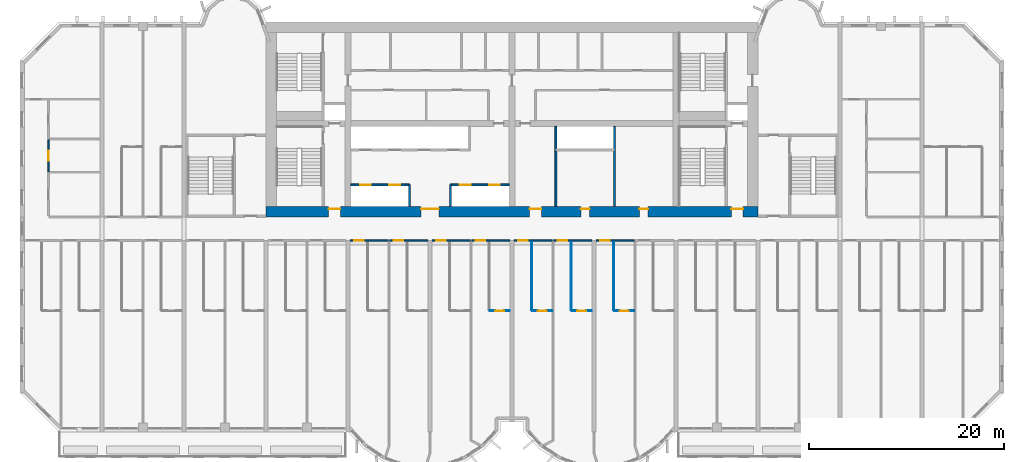
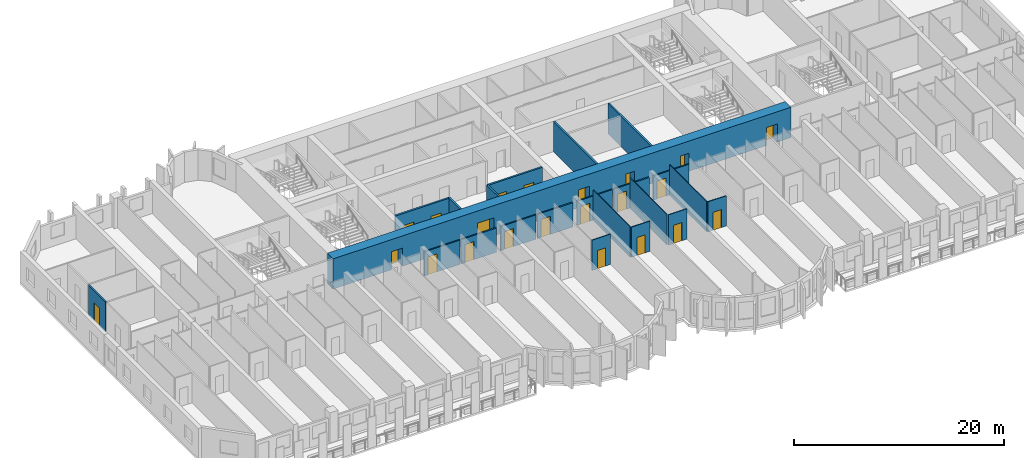
# One storey, part 5 of 15: 22 doors, 22 walls, 22 openings.
"""IFC4 building model written with IfcOpenShell, lengths in metres."""

import ifcopenshell
import ifcopenshell.guid

model = None  # the IFC model being written
_history = None  # IfcOwnerHistory: only IFC2X3 demands one
_inside = {}  # id of a spatial element -> (the spatial element, [elements in it])
_under = {}  # id of a project, library or spatial element -> (it, [spatial elements below it])
_declared = {}  # id of a project -> (the project, [libraries it declares])
_typed = {}  # id of a type object -> (the type object, [elements of that type])
_made_of = {}  # id of a material, layer set ... -> (it, [elements and type objects made of it])


def new_model(schema):
    """Start an empty IFC model of exactly this schema.

    Asked for "IFC4X3", IfcOpenShell would pick the latest addendum, in which some entities
    have other attributes; the version numbers below select the first issue.
    IFC2X3 requires an IfcOwnerHistory on every rooted entity: one is made here for all.
    """
    global model, _history
    if schema == "IFC4X3":
        model = ifcopenshell.file(schema_version=(4, 3, 0, 0))
    else:
        model = ifcopenshell.file(schema=schema)
    _inside.clear()
    _under.clear()
    _declared.clear()
    _typed.clear()
    _made_of.clear()
    _history = None
    if model.schema == "IFC2X3":
        org = make("IfcOrganization", Name="unknown")
        user = make(
            "IfcPersonAndOrganization",
            ThePerson=make("IfcPerson", FamilyName="unknown"),
            TheOrganization=org,
        )
        app = make(
            "IfcApplication",
            ApplicationDeveloper=org,
            Version="unknown",
            ApplicationFullName="unknown",
            ApplicationIdentifier="unknown",
        )
        _history = make(
            "IfcOwnerHistory",
            OwningUser=user,
            OwningApplication=app,
            ChangeAction="ADDED",
            CreationDate=0,
        )
    return model


def make(cls, **values):
    """One entity of the class cls with the attributes given. An attribute that is None is left unset."""
    return model.create_entity(
        cls, **{name: value for name, value in values.items() if value is not None}
    )


def rooted(cls, **values):
    """An entity with a GlobalId (a new one), such as an element, a storey or a relation."""
    return make(cls, GlobalId=ifcopenshell.guid.new(), OwnerHistory=_history, **values)


def si_unit(unit_type, name, prefix=None):
    """IfcSIUnit, for example si_unit("LENGTHUNIT", "METRE", prefix="MILLI")."""
    return make("IfcSIUnit", UnitType=unit_type, Prefix=prefix, Name=name)


def assignment(units):
    """IfcUnitAssignment: the units of a project."""
    return None if units is None else make("IfcUnitAssignment", Units=units)


def point(xyz):
    """IfcCartesianPoint."""
    return None if xyz is None else make("IfcCartesianPoint", Coordinates=xyz)


def direction(xyz):
    """IfcDirection."""
    return None if xyz is None else make("IfcDirection", DirectionRatios=xyz)


def frame(location, z_axis=None, x_axis=None):
    """IfcAxis2Placement3D, a coordinate frame: its origin and axes. An axis left out is left unset."""
    return make(
        "IfcAxis2Placement3D",
        Location=point(location),
        Axis=direction(z_axis),
        RefDirection=direction(x_axis),
    )


def frame_2d(location, x_axis=None):
    """IfcAxis2Placement2D, a coordinate frame in the plane: its origin and x axis."""
    return make(
        "IfcAxis2Placement2D", Location=point(location), RefDirection=direction(x_axis)
    )


def origin():
    """The frame at (0, 0, 0) with its axes left unset."""
    return frame((0.0, 0.0, 0.0))


def place(relative_to, where):
    """IfcLocalPlacement: puts the frame where relative to a parent placement (None: the world)."""
    return make(
        "IfcLocalPlacement", PlacementRelTo=relative_to, RelativePlacement=where
    )


def context(
    kind, dimensions, precision=None, world=None, true_north=None, identifier=None
):
    """IfcGeometricRepresentationContext, for example the 3D "Model" context."""
    return make(
        "IfcGeometricRepresentationContext",
        ContextIdentifier=identifier,
        ContextType=kind,
        CoordinateSpaceDimension=dimensions,
        Precision=precision,
        WorldCoordinateSystem=world,
        TrueNorth=true_north,
    )


def subcontext(parent, identifier, kind, view, scale=None):
    """IfcGeometricRepresentationSubContext, for example "Body" below "Model"."""
    return make(
        "IfcGeometricRepresentationSubContext",
        ContextIdentifier=identifier,
        ContextType=kind,
        ParentContext=parent,
        TargetScale=scale,
        TargetView=view,
    )


def project(units=None, contexts=None):
    """IfcProject with its units and contexts."""
    return rooted(
        "IfcProject",
        Name="project",
        RepresentationContexts=contexts,
        UnitsInContext=assignment(units),
    )


def spatial(cls, under=None, at=None, **own):
    """A site, building, storey or space (cls), placed at a placement, below another one or the project."""
    s = rooted(cls, ObjectPlacement=at, **own)
    if under is not None:
        _under.setdefault(under.id(), (under, []))[1].append(s)
    return s


def profile(cls, at=None, kind="AREA", **sizes):
    """A parametric profile (cls). Its sizes go by their IFC names, for example OverallWidth=200.0."""
    return make(cls, ProfileType=kind, Position=at, **sizes)


def rectangle(**sizes):
    """IfcRectangleProfileDef."""
    return profile("IfcRectangleProfileDef", **sizes)


def extrude(swept, where, along, depth):
    """IfcExtrudedAreaSolid: the profile swept, set in the frame where, extruded along a direction by depth."""
    return make(
        "IfcExtrudedAreaSolid",
        SweptArea=swept,
        Position=where,
        ExtrudedDirection=direction(along),
        Depth=depth,
    )


def shape(context_of_items, identifier, shape_type, items):
    """IfcShapeRepresentation: the items that make up one representation, for example the "Body"."""
    return make(
        "IfcShapeRepresentation",
        ContextOfItems=context_of_items,
        RepresentationIdentifier=identifier,
        RepresentationType=shape_type,
        Items=items,
    )


def source(mapping_origin, context_of_items, identifier, shape_type, items):
    """IfcRepresentationMap: a shape defined once, which mapped items show again and again."""
    return make(
        "IfcRepresentationMap",
        MappingOrigin=mapping_origin,
        MappedRepresentation=shape(context_of_items, identifier, shape_type, items),
    )


def transform(
    local_origin,
    x_axis=None,
    y_axis=None,
    z_axis=None,
    scale=None,
    scale2=None,
    scale3=None,
    uniform=True,
):
    """IfcCartesianTransformationOperator3D, or its non-uniform kind. x_axis, y_axis, z_axis: its Axis1, 2, 3."""
    if uniform:
        return make(
            "IfcCartesianTransformationOperator3D",
            Axis1=direction(x_axis),
            Axis2=direction(y_axis),
            LocalOrigin=point(local_origin),
            Scale=scale,
            Axis3=direction(z_axis),
        )
    return make(
        "IfcCartesianTransformationOperator3DnonUniform",
        Axis1=direction(x_axis),
        Axis2=direction(y_axis),
        LocalOrigin=point(local_origin),
        Scale=scale,
        Axis3=direction(z_axis),
        Scale2=scale2,
        Scale3=scale3,
    )


def mapped(mapping_source, mapping_target):
    """IfcMappedItem: shows the shape of a source again, moved by a transform."""
    return make(
        "IfcMappedItem", MappingSource=mapping_source, MappingTarget=mapping_target
    )


def material(Name=None, Category=None):
    """IfcMaterial."""
    return make("IfcMaterial", Name=Name, Category=Category)


def layer(
    of_material, thickness, ventilated=None, Name=None, Category=None, Priority=None
):
    """IfcMaterialLayer: one layer of a wall or slab, of a material (None: an air gap)."""
    return make(
        "IfcMaterialLayer",
        Material=of_material,
        LayerThickness=thickness,
        IsVentilated=ventilated,
        Name=Name,
        Category=Category,
        Priority=Priority,
    )


def layer_set(layers, Name=None):
    """IfcMaterialLayerSet."""
    return make("IfcMaterialLayerSet", MaterialLayers=layers, LayerSetName=Name)


def made_of(thing, what):
    """Note that an element or type object is made of a material, layer set ...; save() writes the relation."""
    if what is not None:
        _made_of.setdefault(what.id(), (what, []))[1].append(thing)
    return thing


def type_object(cls, material=None, **own):
    """A type object (cls), such as IfcWallType, which elements share."""
    return made_of(rooted(cls, **own), material)


def element(
    cls,
    number,
    at=None,
    inside=None,
    cuts=None,
    type_object=None,
    material=None,
    context=None,
    identifier="Body",
    shape_type=None,
    held_by="IfcProductDefinitionShape",
    body=None,
    shapes=None,
    **own,
):
    """One element of the class cls, such as IfcWall. Its Tag is "e" and its number.

    at: its placement. inside: the storey or other place that contains it. cuts: it is an
    opening in that element (IfcRelVoidsElement). A single representation is given by context,
    identifier, shape_type and body (its items); several are given by shapes. held_by: the class
    of the entity that holds the representations. save() writes the other relations.
    """
    e = rooted(cls, Tag="e%d" % number, ObjectPlacement=at, **own)
    if body is not None:
        shapes = [shape(context, identifier, shape_type, body)]
    if shapes is not None:
        e.Representation = make(held_by, Representations=shapes)
    if inside is not None:
        _inside.setdefault(inside.id(), (inside, []))[1].append(e)
    if cuts is not None:
        rooted(
            "IfcRelVoidsElement", RelatingBuildingElement=cuts, RelatedOpeningElement=e
        )
    if type_object is not None:
        _typed.setdefault(type_object.id(), (type_object, []))[1].append(e)
    return made_of(e, material)


def fill(opening, filler):
    """IfcRelFillsElement: the door or window that sits in an opening."""
    return rooted(
        "IfcRelFillsElement",
        RelatingOpeningElement=opening,
        RelatedBuildingElement=filler,
    )


def aggregate(whole, parts):
    """IfcRelAggregates: a whole, such as a stair, and the parts it consists of."""
    return rooted("IfcRelAggregates", RelatingObject=whole, RelatedObjects=parts)


def save(model, path):
    """Write the relations noted so far, then the file.

    IfcRelAggregates (storeys below a building ...), IfcRelContainedInSpatialStructure (elements
    in a storey), IfcRelDefinesByType, IfcRelAssociatesMaterial and IfcRelDeclares: one each for
    every whole, place, type object, material and project.
    """
    for whole, parts in _under.values():
        aggregate(whole, parts)
    for where, things in _inside.values():
        rooted(
            "IfcRelContainedInSpatialStructure",
            RelatedElements=things,
            RelatingStructure=where,
        )
    for kind, things in _typed.values():
        rooted("IfcRelDefinesByType", RelatedObjects=things, RelatingType=kind)
    for what, things in _made_of.values():
        rooted("IfcRelAssociatesMaterial", RelatedObjects=things, RelatingMaterial=what)
    for by, libraries in _declared.values():
        rooted("IfcRelDeclares", RelatingContext=by, RelatedDefinitions=libraries)
    model.write(path)


model = new_model("IFC4")

# Units and contexts
model_context = context("Model", 3, precision=1e-05, world=origin(), true_north=direction((0.0, 1.0)))
body_context = subcontext(model_context, "Body", "Model", "MODEL_VIEW")
ifc_project = project(units=[si_unit("LENGTHUNIT", "METRE"), si_unit("AREAUNIT", "SQUARE_METRE"), si_unit("VOLUMEUNIT", "CUBIC_METRE"), si_unit("PLANEANGLEUNIT", "RADIAN"), si_unit("MASSUNIT", "GRAM", prefix="KILO")], contexts=[model_context])

# Site, building, storey
site_placement = place(None, origin())
site = spatial("IfcSite", under=ifc_project, at=site_placement, CompositionType="ELEMENT")
building_placement = place(site_placement, origin())
building = spatial("IfcBuilding", under=site, at=building_placement, Name="Vanashikhar Sky Hotel", CompositionType="ELEMENT")
storey_placement = place(building_placement, frame((0.0, 0.0, 31.60009765625)))
storey = spatial("IfcBuildingStorey", under=building, at=storey_placement, Name="L06", CompositionType="ELEMENT", Elevation=31.60009765625)

# Wall, openings, doors
ifc_material_1 = material(Name="Concrete M80", Category="concrete")
ifc_layer_1 = layer(ifc_material_1, 1.10009765625)
ifc_layer_set_1 = layer_set([ifc_layer_1], Name="RC core shell wall 1100 Concrete M80")
wall_type_1 = type_object("IfcWallType", Name="RC core shell wall 1100 Concrete M80", PredefinedType="SHEAR", material=ifc_layer_set_1)
shared_shape_1 = source(origin(), body_context, "Body", "SweptSolid", [
    extrude(rectangle(XDim=50.400146484375, YDim=1.10009765625, at=frame_2d((25.2001953125, 0.0))), origin(), (0.0, 0.0, 1.0), 3.52001953125),
])
wall_1_placement = place(storey_placement, frame((25.199951171875, 22.550048828125, 0.0), z_axis=(0.0, 0.0, 1.0), x_axis=(1.0, 0.0, 0.0)))
wall_1 = element("IfcWall", 1, at=wall_1_placement, inside=storey, type_object=wall_type_1, Name="KW-L06-KS", PredefinedType="SHEAR", context=body_context, shape_type="MappedRepresentation", body=[
    mapped(shared_shape_1, transform((0.0, 0.0, 0.0), scale=1.0)),
])
shared_shape_2 = source(origin(), body_context, "Body", "SweptSolid", [
    extrude(rectangle(XDim=1.800048828125, YDim=2.10009765625, at=frame_2d((0.89990234375, 1.050048828125))), frame((0.0, 0.56005859375, 0.0), z_axis=(0.0, -1.0, 0.0), x_axis=(1.0, 0.0, 0.0)), (0.0, 0.0, 1.0), 1.1201171875),
])
opening_1_placement = place(wall_1_placement, frame((15.89990234375, 0.0, 0.0)))
opening_1 = element("IfcOpeningElement", 2, at=opening_1_placement, cuts=wall_1, Name="Opening DC-3-A", PredefinedType="OPENING", context=body_context, shape_type="MappedRepresentation", body=[
    mapped(shared_shape_2, transform((0.0, 0.0, 0.0), scale=1.0)),
])
shared_shape_3 = source(origin(), body_context, "Body", "SweptSolid", [
    extrude(rectangle(XDim=1.199951171875, YDim=2.10009765625, at=frame_2d((0.60009765625, 1.050048828125))), frame((0.0, 0.56005859375, 0.0), z_axis=(0.0, -1.0, 0.0), x_axis=(1.0, 0.0, 0.0)), (0.0, 0.0, 1.0), 1.1201171875),
])
opening_2_placement = place(wall_1_placement, frame((27.0, 0.0, 0.0)))
opening_2 = element("IfcOpeningElement", 3, at=opening_2_placement, cuts=wall_1, Name="Opening DC-4-B", PredefinedType="OPENING", context=body_context, shape_type="MappedRepresentation", body=[
    mapped(shared_shape_3, transform((0.0, 0.0, 0.0), scale=1.0)),
])
shared_shape_4 = source(origin(), body_context, "Body", "SweptSolid", [
    extrude(rectangle(XDim=0.89990234375, YDim=2.10009765625, at=frame_2d((0.449951171875, 1.050048828125))), frame((0.0, 0.56005859375, 0.0), z_axis=(0.0, -1.0, 0.0), x_axis=(1.0, 0.0, 0.0)), (0.0, 0.0, 1.0), 1.1201171875),
])
opening_3_placement = place(wall_1_placement, frame((32.25, 0.0, 0.0)))
opening_3 = element("IfcOpeningElement", 4, at=opening_3_placement, cuts=wall_1, Name="Opening DC-4-A", PredefinedType="OPENING", context=body_context, shape_type="MappedRepresentation", body=[
    mapped(shared_shape_4, transform((0.0, 0.0, 0.0), scale=1.0)),
])
opening_4_placement = place(wall_1_placement, frame((38.25, 0.0, 0.0)))
opening_4 = element("IfcOpeningElement", 5, at=opening_4_placement, cuts=wall_1, Name="Opening DC-4-A", PredefinedType="OPENING", context=body_context, shape_type="MappedRepresentation", body=[
    mapped(shared_shape_4, transform((0.0, 0.0, 0.0), scale=1.0)),
])
opening_5_placement = place(wall_1_placement, frame((6.425048828125, 0.0, 0.0)))
opening_5 = element("IfcOpeningElement", 6, at=opening_5_placement, cuts=wall_1, Name="Opening DC-2", PredefinedType="OPENING", context=body_context, shape_type="MappedRepresentation", body=[
    mapped(shared_shape_3, transform((0.0, 0.0, 0.0), scale=1.0)),
])
opening_6_placement = place(wall_1_placement, frame((47.675048828125, 0.0, 0.0)))
opening_6 = element("IfcOpeningElement", 7, at=opening_6_placement, cuts=wall_1, Name="Opening DC-2", PredefinedType="OPENING", context=body_context, shape_type="MappedRepresentation", body=[
    mapped(shared_shape_3, transform((0.0, 0.0, 0.0), scale=1.0)),
])
ifc_material_2 = material(Name="Glass", Category="glass")
door_type_1 = type_object("IfcDoorType", Name="Lift lobby entrance door 1800 FD30S", OperationType="NOTDEFINED", PredefinedType="DOOR", material=ifc_material_2)
shared_shape_5 = source(origin(), body_context, "Body", "SweptSolid", [
    extrude(rectangle(XDim=1.800048828125, YDim=2.10009765625, at=frame_2d((0.89990234375, 1.050048828125))), frame((0.0, 0.3251953125, 0.0), z_axis=(0.0, -1.0, 0.0), x_axis=(1.0, 0.0, 0.0)), (0.0, 0.0, 1.0), 0.050048828125),
])
door_1_placement = place(opening_1_placement, origin())
door_1 = element("IfcDoor", 8, at=door_1_placement, inside=storey, type_object=door_type_1, Name="Lift lobby entrance door 1800 FD30S", OperationType="DOUBLE_DOOR_SINGLE_SWING", OverallHeight=2.10009765625, OverallWidth=1.800048828125, PredefinedType="DOOR", context=body_context, shape_type="MappedRepresentation", body=[
    mapped(shared_shape_5, transform((0.0, 0.0, 0.0), scale=1.0)),
])
fill(opening_1, door_1)
ifc_material_3 = material(Name="Steel", Category="steel")
door_type_2 = type_object("IfcDoorType", Name="Service door 1200 FD60", OperationType="NOTDEFINED", PredefinedType="DOOR", material=ifc_material_3)
shared_shape_6 = source(origin(), body_context, "Body", "SweptSolid", [
    extrude(rectangle(XDim=1.199951171875, YDim=2.10009765625, at=frame_2d((0.60009765625, 1.050048828125))), frame((0.0, 0.3251953125, 0.0), z_axis=(0.0, -1.0, 0.0), x_axis=(1.0, 0.0, 0.0)), (0.0, 0.0, 1.0), 0.050048828125),
])
door_2_placement = place(opening_2_placement, origin())
door_2 = element("IfcDoor", 9, at=door_2_placement, inside=storey, type_object=door_type_2, Name="Service door 1200 FD60", OperationType="SINGLE_SWING_LEFT", OverallHeight=2.10009765625, OverallWidth=1.199951171875, PredefinedType="DOOR", context=body_context, shape_type="MappedRepresentation", body=[
    mapped(shared_shape_6, transform((0.0, 0.0, 0.0), scale=1.0)),
])
fill(opening_2, door_2)
door_type_3 = type_object("IfcDoorType", Name="Firefighting lobby door 1200 FD120", OperationType="NOTDEFINED", PredefinedType="DOOR", material=ifc_material_3)
door_3_placement = place(opening_5_placement, origin())
door_3 = element("IfcDoor", 10, at=door_3_placement, inside=storey, type_object=door_type_3, Name="Firefighting lobby door 1200 FD120", OperationType="SINGLE_SWING_LEFT", OverallHeight=2.10009765625, OverallWidth=1.199951171875, PredefinedType="DOOR", context=body_context, shape_type="MappedRepresentation", body=[
    mapped(shared_shape_6, transform((0.0, 0.0, 0.0), scale=1.0)),
])
fill(opening_5, door_3)
door_4_placement = place(opening_6_placement, origin())
door_4 = element("IfcDoor", 11, at=door_4_placement, inside=storey, type_object=door_type_3, Name="Firefighting lobby door 1200 FD120", OperationType="SINGLE_SWING_RIGHT", OverallHeight=2.10009765625, OverallWidth=1.199951171875, PredefinedType="DOOR", context=body_context, shape_type="MappedRepresentation", body=[
    mapped(shared_shape_6, transform((0.0, 0.0, 0.0), scale=1.0)),
])
fill(opening_6, door_4)
door_type_4 = type_object("IfcDoorType", Name="Service door 900 FD60", OperationType="NOTDEFINED", PredefinedType="DOOR", material=ifc_material_3)
shared_shape_7 = source(origin(), body_context, "Body", "SweptSolid", [
    extrude(rectangle(XDim=0.89990234375, YDim=2.10009765625, at=frame_2d((0.449951171875, 1.050048828125))), frame((0.0, 0.3251953125, 0.0), z_axis=(0.0, -1.0, 0.0), x_axis=(1.0, 0.0, 0.0)), (0.0, 0.0, 1.0), 0.050048828125),
])
door_5_placement = place(opening_3_placement, origin())
door_5 = element("IfcDoor", 12, at=door_5_placement, inside=storey, type_object=door_type_4, Name="Service door 900 FD60", OperationType="SINGLE_SWING_RIGHT", OverallHeight=2.10009765625, OverallWidth=0.89990234375, PredefinedType="DOOR", context=body_context, shape_type="MappedRepresentation", body=[
    mapped(shared_shape_7, transform((0.0, 0.0, 0.0), scale=1.0)),
])
fill(opening_3, door_5)
door_6_placement = place(opening_4_placement, origin())
door_6 = element("IfcDoor", 13, at=door_6_placement, inside=storey, type_object=door_type_4, Name="Service door 900 FD60", OperationType="SINGLE_SWING_LEFT", OverallHeight=2.10009765625, OverallWidth=0.89990234375, PredefinedType="DOOR", context=body_context, shape_type="MappedRepresentation", body=[
    mapped(shared_shape_7, transform((0.0, 0.0, 0.0), scale=1.0)),
])
fill(opening_4, door_6)

ifc_material_4 = material(Name="Concrete M40", Category="concrete")
ifc_layer_2 = layer(ifc_material_4, 0.199951171875)
ifc_layer_set_2 = layer_set([ifc_layer_2], Name="Shaft wall 200")
wall_type_2 = type_object("IfcWallType", Name="Shaft wall 200", PredefinedType="SOLIDWALL", material=ifc_layer_set_2)
shared_shape_8 = source(origin(), body_context, "Body", "SweptSolid", [
    extrude(rectangle(XDim=6.0, YDim=0.199951171875, at=frame_2d((3.0, 0.0))), origin(), (0.0, 0.0, 1.0), 3.52001953125),
])
wall_2_placement = place(storey_placement, frame((33.89990234375, 25.300048828125, 0.0), z_axis=(0.0, 0.0, 1.0), x_axis=(1.0, 0.0, 0.0)))
wall_2 = element("IfcWall", 14, at=wall_2_placement, inside=storey, type_object=wall_type_2, Name="Shaft wall 200", PredefinedType="SOLIDWALL", context=body_context, shape_type="MappedRepresentation", body=[
    mapped(shared_shape_8, transform((0.0, 0.0, 0.0), scale=1.0)),
])
shared_shape_9 = source(origin(), body_context, "Body", "SweptSolid", [
    extrude(rectangle(XDim=1.10009765625, YDim=2.10009765625, at=frame_2d((0.550048828125, 1.050048828125))), frame((0.0, 0.10986328125, 0.0), z_axis=(0.0, -1.0, 0.0), x_axis=(1.0, 0.0, 0.0)), (0.0, 0.0, 1.0), 0.219970703125),
])
opening_7_placement = place(wall_2_placement, frame((0.949951171875, 0.0, 0.0)))
opening_7 = element("IfcOpeningElement", 15, at=opening_7_placement, cuts=wall_2, Name="Opening LD", PredefinedType="OPENING", context=body_context, shape_type="MappedRepresentation", body=[
    mapped(shared_shape_9, transform((0.0, 0.0, 0.0), scale=1.0)),
])
opening_8_placement = place(wall_2_placement, frame((3.949951171875, 0.0, 0.0)))
opening_8 = element("IfcOpeningElement", 16, at=opening_8_placement, cuts=wall_2, Name="Opening LD", PredefinedType="OPENING", context=body_context, shape_type="MappedRepresentation", body=[
    mapped(shared_shape_9, transform((0.0, 0.0, 0.0), scale=1.0)),
])
ifc_material_5 = material(Name="Stainless steel", Category="steel")
door_type_5 = type_object("IfcDoorType", Name="Lift landing door 1100", OperationType="NOTDEFINED", PredefinedType="DOOR", material=ifc_material_5)
shared_shape_10 = source(origin(), body_context, "Body", "SweptSolid", [
    extrude(rectangle(XDim=1.10009765625, YDim=2.10009765625, at=frame_2d((0.550048828125, 1.050048828125))), frame((0.0, 0.02490234375, 0.0), z_axis=(0.0, -1.0, 0.0), x_axis=(1.0, 0.0, 0.0)), (0.0, 0.0, 1.0), 0.050048828125),
])
door_7_placement = place(opening_7_placement, origin())
door_7 = element("IfcDoor", 17, at=door_7_placement, inside=storey, type_object=door_type_5, Name="Lift landing door 1100", OperationType="SLIDING_TO_LEFT", OverallHeight=2.10009765625, OverallWidth=1.10009765625, PredefinedType="DOOR", context=body_context, shape_type="MappedRepresentation", body=[
    mapped(shared_shape_10, transform((0.0, 0.0, 0.0), scale=1.0)),
])
fill(opening_7, door_7)
door_8_placement = place(opening_8_placement, origin())
door_8 = element("IfcDoor", 18, at=door_8_placement, inside=storey, type_object=door_type_5, Name="Lift landing door 1100", OperationType="SLIDING_TO_RIGHT", OverallHeight=2.10009765625, OverallWidth=1.10009765625, PredefinedType="DOOR", context=body_context, shape_type="MappedRepresentation", body=[
    mapped(shared_shape_10, transform((0.0, 0.0, 0.0), scale=1.0)),
])
fill(opening_8, door_8)

wall_3_placement = place(storey_placement, frame((44.10009765625, 25.300048828125, 0.0), z_axis=(0.0, 0.0, 1.0), x_axis=(1.0, 0.0, 0.0)))
wall_3 = element("IfcWall", 19, at=wall_3_placement, inside=storey, type_object=wall_type_2, Name="Shaft wall 200", PredefinedType="SOLIDWALL", context=body_context, shape_type="MappedRepresentation", body=[
    mapped(shared_shape_8, transform((0.0, 0.0, 0.0), scale=1.0)),
])
opening_9_placement = place(wall_3_placement, frame((0.949951171875, 0.0, 0.0)))
opening_9 = element("IfcOpeningElement", 20, at=opening_9_placement, cuts=wall_3, Name="Opening LD", PredefinedType="OPENING", context=body_context, shape_type="MappedRepresentation", body=[
    mapped(shared_shape_9, transform((0.0, 0.0, 0.0), scale=1.0)),
])
opening_10_placement = place(wall_3_placement, frame((3.949951171875, 0.0, 0.0)))
opening_10 = element("IfcOpeningElement", 21, at=opening_10_placement, cuts=wall_3, Name="Opening LD", PredefinedType="OPENING", context=body_context, shape_type="MappedRepresentation", body=[
    mapped(shared_shape_9, transform((0.0, 0.0, 0.0), scale=1.0)),
])
door_9_placement = place(opening_9_placement, origin())
door_9 = element("IfcDoor", 22, at=door_9_placement, inside=storey, type_object=door_type_5, Name="Lift landing door 1100", OperationType="SLIDING_TO_LEFT", OverallHeight=2.10009765625, OverallWidth=1.10009765625, PredefinedType="DOOR", context=body_context, shape_type="MappedRepresentation", body=[
    mapped(shared_shape_10, transform((0.0, 0.0, 0.0), scale=1.0)),
])
fill(opening_9, door_9)
door_10_placement = place(opening_10_placement, origin())
door_10 = element("IfcDoor", 23, at=door_10_placement, inside=storey, type_object=door_type_5, Name="Lift landing door 1100", OperationType="SLIDING_TO_RIGHT", OverallHeight=2.10009765625, OverallWidth=1.10009765625, PredefinedType="DOOR", context=body_context, shape_type="MappedRepresentation", body=[
    mapped(shared_shape_10, transform((0.0, 0.0, 0.0), scale=1.0)),
])
fill(opening_10, door_10)

# Walls
shared_shape_11 = source(origin(), body_context, "Body", "SweptSolid", [
    extrude(rectangle(XDim=2.199951171875, YDim=0.199951171875, at=frame_2d((1.10009765625, 0.0))), origin(), (0.0, 0.0, 1.0), 3.52001953125),
])
for number, where, z_axis, x_axis, name in (
    (24, (39.89990234375, 23.10009765625, 0.0), (0.0, 0.0, 1.0), (0.0, 1.0, 0.0), "Shaft wall 200"),
    (25, (44.10009765625, 23.10009765625, 0.0), (0.0, 0.0, 1.0), (0.0, 1.0, 0.0), "Shaft wall 200"),
):
    element("IfcWall", number, at=place(storey_placement, frame(where, z_axis=z_axis, x_axis=x_axis)), inside=storey, type_object=wall_type_2, Name=name, PredefinedType="SOLIDWALL", context=body_context, shape_type="MappedRepresentation", body=[
        mapped(shared_shape_11, transform((0.0, 0.0, 0.0), scale=1.0)),
    ])
ifc_material_6 = material(Name="Gypsum board partition")
ifc_layer_3 = layer(ifc_material_6, 0.14990234375)
ifc_layer_set_3 = layer_set([ifc_layer_3], Name="Service partition 150")
wall_type_3 = type_object("IfcWallType", Name="Service partition 150", PredefinedType="PARTITIONING", material=ifc_layer_set_3)
shared_shape_12 = source(origin(), body_context, "Body", "SweptSolid", [
    extrude(rectangle(XDim=8.199951171875, YDim=0.199951171875, at=frame_2d((4.10009765625, 0.0))), origin(), (0.0, 0.0, 1.0), 3.52001953125),
])
for number, where, z_axis, x_axis, name in (
    (26, (54.89990234375, 23.10009765625, 0.0), (0.0, 0.0, 1.0), (0.0, 1.0, 0.0), "Service partition 150"),
    (27, (60.89990234375, 23.10009765625, 0.0), (0.0, 0.0, 1.0), (0.0, 1.0, 0.0), "Service partition 150"),
):
    element("IfcWall", number, at=place(storey_placement, frame(where, z_axis=z_axis, x_axis=x_axis)), inside=storey, type_object=wall_type_3, Name=name, PredefinedType="PARTITIONING", context=body_context, shape_type="MappedRepresentation", body=[
        mapped(shared_shape_12, transform((0.0, 0.0, 0.0), scale=1.0)),
    ])
ifc_material_7 = material(Name="Gypsum plasterboard partition")
ifc_layer_4 = layer(ifc_material_7, 0.10009765625)
ifc_layer_set_4 = layer_set([ifc_layer_4], Name="Wet room partition 100")
wall_type_4 = type_object("IfcWallType", Name="Wet room partition 100", PredefinedType="PARTITIONING", material=ifc_layer_set_4)
shared_shape_13 = source(origin(), body_context, "Body", "SweptSolid", [
    extrude(rectangle(XDim=7.0498046875, YDim=0.10009765625, at=frame_2d((3.52490234375, 0.0))), origin(), (0.0, 0.0, 1.0), 3.52001953125),
])
for number, where, z_axis, x_axis, name in (
    (28, (52.425048828125, 12.47509765625, 0.0), (0.0, 0.0, 1.0), (0.0, 1.0, 0.0), "W-L06-PW043"),
    (29, (56.47509765625, 12.47509765625, 0.0), (0.0, 0.0, 1.0), (0.0, 1.0, 0.0), "W-L06-PW046"),
    (30, (60.824951171875, 12.47509765625, 0.0), (0.0, 0.0, 1.0), (0.0, 1.0, 0.0), "W-L06-PW050"),
):
    element("IfcWall", number, at=place(storey_placement, frame(where, z_axis=z_axis, x_axis=x_axis)), inside=storey, type_object=wall_type_4, Name=name, PredefinedType="PARTITIONING", context=body_context, shape_type="MappedRepresentation", body=[
        mapped(shared_shape_13, transform((0.0, 0.0, 0.0), scale=1.0)),
    ])

# Wall, opening, door
shared_shape_14 = source(origin(), body_context, "Body", "SweptSolid", [
    extrude(rectangle(XDim=2.050048828125, YDim=0.10009765625, at=frame_2d((1.02490234375, 0.0))), origin(), (0.0, 0.0, 1.0), 3.52001953125),
])
wall_4_placement = place(storey_placement, frame((48.125, 12.39990234375, 0.0), z_axis=(0.0, 0.0, 1.0), x_axis=(1.0, 0.0, 0.0)))
wall_4 = element("IfcWall", 31, at=wall_4_placement, inside=storey, type_object=wall_type_4, Name="W-L06-PW040", PredefinedType="PARTITIONING", context=body_context, shape_type="MappedRepresentation", body=[
    mapped(shared_shape_14, transform((0.0, 0.0, 0.0), scale=1.0)),
])
shared_shape_15 = source(origin(), body_context, "Body", "SweptSolid", [
    extrude(rectangle(XDim=0.89990234375, YDim=2.10009765625, at=frame_2d((0.449951171875, 1.050048828125))), frame((0.0, 0.06005859375, 0.0), z_axis=(0.0, -1.0, 0.0), x_axis=(1.0, 0.0, 0.0)), (0.0, 0.0, 1.0), 0.1201171875),
])
opening_11_placement = place(wall_4_placement, frame((0.574951171875, 0.0, 0.0)))
opening_11 = element("IfcOpeningElement", 32, at=opening_11_placement, cuts=wall_4, Name="Opening D-02", PredefinedType="OPENING", context=body_context, shape_type="MappedRepresentation", body=[
    mapped(shared_shape_15, transform((0.0, 0.0, 0.0), scale=1.0)),
])
ifc_material_8 = material(Name="Timber door", Category="wood")
door_type_6 = type_object("IfcDoorType", Name="Internal door 900", OperationType="NOTDEFINED", PredefinedType="DOOR", material=ifc_material_8)
shared_shape_16 = source(origin(), body_context, "Body", "SweptSolid", [
    extrude(rectangle(XDim=0.89990234375, YDim=2.10009765625, at=frame_2d((0.449951171875, 1.050048828125))), frame((0.0, 0.02490234375, 0.0), z_axis=(0.0, -1.0, 0.0), x_axis=(1.0, 0.0, 0.0)), (0.0, 0.0, 1.0), 0.050048828125),
])
door_11_placement = place(opening_11_placement, origin())
door_11 = element("IfcDoor", 33, at=door_11_placement, inside=storey, type_object=door_type_6, Name="D-L06-023", OperationType="SINGLE_SWING_LEFT", OverallHeight=2.10009765625, OverallWidth=0.89990234375, PredefinedType="DOOR", context=body_context, shape_type="MappedRepresentation", body=[
    mapped(shared_shape_16, transform((0.0, 0.0, 0.0), scale=1.0)),
])
fill(opening_11, door_11)

wall_5_placement = place(storey_placement, frame((56.52490234375, 12.39990234375, 0.0), z_axis=(0.0, 0.0, 1.0), x_axis=(1.0, 0.0, 0.0)))
wall_5 = element("IfcWall", 34, at=wall_5_placement, inside=storey, type_object=wall_type_4, Name="W-L06-PW047", PredefinedType="PARTITIONING", context=body_context, shape_type="MappedRepresentation", body=[
    mapped(shared_shape_14, transform((0.0, 0.0, 0.0), scale=1.0)),
])
opening_12_placement = place(wall_5_placement, frame((0.574951171875, 0.0, 0.0)))
opening_12 = element("IfcOpeningElement", 35, at=opening_12_placement, cuts=wall_5, Name="Opening D-02", PredefinedType="OPENING", context=body_context, shape_type="MappedRepresentation", body=[
    mapped(shared_shape_15, transform((0.0, 0.0, 0.0), scale=1.0)),
])
door_12_placement = place(opening_12_placement, origin())
door_12 = element("IfcDoor", 36, at=door_12_placement, inside=storey, type_object=door_type_6, Name="D-L06-027", OperationType="SINGLE_SWING_LEFT", OverallHeight=2.10009765625, OverallWidth=0.89990234375, PredefinedType="DOOR", context=body_context, shape_type="MappedRepresentation", body=[
    mapped(shared_shape_16, transform((0.0, 0.0, 0.0), scale=1.0)),
])
fill(opening_12, door_12)

wall_6_placement = place(storey_placement, frame((60.875, 12.39990234375, 0.0), z_axis=(0.0, 0.0, 1.0), x_axis=(1.0, 0.0, 0.0)))
wall_6 = element("IfcWall", 37, at=wall_6_placement, inside=storey, type_object=wall_type_4, Name="W-L06-PW051", PredefinedType="PARTITIONING", context=body_context, shape_type="MappedRepresentation", body=[
    mapped(shared_shape_14, transform((0.0, 0.0, 0.0), scale=1.0)),
])
opening_13_placement = place(wall_6_placement, frame((0.574951171875, 0.0, 0.0)))
opening_13 = element("IfcOpeningElement", 38, at=opening_13_placement, cuts=wall_6, Name="Opening D-02", PredefinedType="OPENING", context=body_context, shape_type="MappedRepresentation", body=[
    mapped(shared_shape_15, transform((0.0, 0.0, 0.0), scale=1.0)),
])
door_13_placement = place(opening_13_placement, origin())
door_13 = element("IfcDoor", 39, at=door_13_placement, inside=storey, type_object=door_type_6, Name="D-L06-029", OperationType="SINGLE_SWING_LEFT", OverallHeight=2.10009765625, OverallWidth=0.89990234375, PredefinedType="DOOR", context=body_context, shape_type="MappedRepresentation", body=[
    mapped(shared_shape_16, transform((0.0, 0.0, 0.0), scale=1.0)),
])
fill(opening_13, door_13)

shared_shape_17 = source(origin(), body_context, "Body", "SweptSolid", [
    extrude(rectangle(XDim=2.0498046875, YDim=0.10009765625, at=frame_2d((1.02490234375, 0.0))), origin(), (0.0, 0.0, 1.0), 3.52001953125),
])
wall_7_placement = place(storey_placement, frame((52.47509765625, 12.39990234375, 0.0), z_axis=(0.0, 0.0, 1.0), x_axis=(1.0, 0.0, 0.0)))
wall_7 = element("IfcWall", 40, at=wall_7_placement, inside=storey, type_object=wall_type_4, Name="W-L06-PW044", PredefinedType="PARTITIONING", context=body_context, shape_type="MappedRepresentation", body=[
    mapped(shared_shape_17, transform((0.0, 0.0, 0.0), scale=1.0)),
])
opening_14_placement = place(wall_7_placement, frame((0.574951171875, 0.0, 0.0)))
opening_14 = element("IfcOpeningElement", 41, at=opening_14_placement, cuts=wall_7, Name="Opening D-02", PredefinedType="OPENING", context=body_context, shape_type="MappedRepresentation", body=[
    mapped(shared_shape_15, transform((0.0, 0.0, 0.0), scale=1.0)),
])
door_14_placement = place(opening_14_placement, origin())
door_14 = element("IfcDoor", 42, at=door_14_placement, inside=storey, type_object=door_type_6, Name="D-L06-025", OperationType="SINGLE_SWING_LEFT", OverallHeight=2.10009765625, OverallWidth=0.89990234375, PredefinedType="DOOR", context=body_context, shape_type="MappedRepresentation", body=[
    mapped(shared_shape_16, transform((0.0, 0.0, 0.0), scale=1.0)),
])
fill(opening_14, door_14)

ifc_layer_5 = layer(ifc_material_7, 0.14990234375)
ifc_layer_set_5 = layer_set([ifc_layer_5], Name="Corridor and demising partition 150")
wall_type_5 = type_object("IfcWallType", Name="Corridor and demising partition 150", PredefinedType="PARTITIONING", material=ifc_layer_set_5)
shared_shape_18 = source(origin(), body_context, "Body", "SweptSolid", [
    extrude(rectangle(XDim=3.25, YDim=0.14990234375, at=frame_2d((1.625, 0.0))), origin(), (0.0, 0.0, 1.0), 3.52001953125),
])
wall_8_placement = place(storey_placement, frame((2.925048828125, 26.675048828125, 0.0), z_axis=(0.0, 0.0, 1.0), x_axis=(0.0, 1.0, 0.0)))
wall_8 = element("IfcWall", 43, at=wall_8_placement, inside=storey, type_object=wall_type_5, Name="W-L06-PW090", PredefinedType="PARTITIONING", context=body_context, shape_type="MappedRepresentation", body=[
    mapped(shared_shape_18, transform((0.0, 0.0, 0.0), scale=1.0)),
])
shared_shape_19 = source(origin(), body_context, "Body", "SweptSolid", [
    extrude(rectangle(XDim=1.0, YDim=2.10009765625, at=frame_2d((0.5, 1.050048828125))), frame((0.0, 0.0849609375, 0.0), z_axis=(0.0, -1.0, 0.0), x_axis=(1.0, 0.0, 0.0)), (0.0, 0.0, 1.0), 0.169921875),
])
opening_15_placement = place(wall_8_placement, frame((1.125, 0.0, 0.0)))
opening_15 = element("IfcOpeningElement", 44, at=opening_15_placement, cuts=wall_8, Name="Opening D-01", PredefinedType="OPENING", context=body_context, shape_type="MappedRepresentation", body=[
    mapped(shared_shape_19, transform((0.0, 0.0, 0.0), scale=1.0)),
])
ifc_material_9 = material(Name="Timber fire door", Category="wood")
door_type_7 = type_object("IfcDoorType", Name="Guest entry door 1000 FD30S", OperationType="NOTDEFINED", PredefinedType="DOOR", material=ifc_material_9)
shared_shape_20 = source(origin(), body_context, "Body", "SweptSolid", [
    extrude(rectangle(XDim=1.0, YDim=2.10009765625, at=frame_2d((0.5, 1.050048828125))), frame((0.0, 0.02490234375, 0.0), z_axis=(0.0, -1.0, 0.0), x_axis=(1.0, 0.0, 0.0)), (0.0, 0.0, 1.0), 0.050048828125),
])
door_15_placement = place(opening_15_placement, origin())
door_15 = element("IfcDoor", 45, at=door_15_placement, inside=storey, type_object=door_type_7, Name="D-L06-050", OperationType="SINGLE_SWING_LEFT", OverallHeight=2.10009765625, OverallWidth=1.0, PredefinedType="DOOR", context=body_context, shape_type="MappedRepresentation", body=[
    mapped(shared_shape_20, transform((0.0, 0.0, 0.0), scale=1.0)),
])
fill(opening_15, door_15)

shared_shape_21 = source(origin(), body_context, "Body", "SweptSolid", [
    extrude(rectangle(XDim=3.900146484375, YDim=0.14990234375, at=frame_2d((1.9501953125, 0.0))), origin(), (0.0, 0.0, 1.0), 2.81982421875),
])
wall_9_placement = place(storey_placement, frame((33.824951171875, 19.60009765625, 0.0), z_axis=(0.0, 0.0, 1.0), x_axis=(1.0, 0.0, 0.0)))
wall_9 = element("IfcWall", 46, at=wall_9_placement, inside=storey, type_object=wall_type_5, Name="W-L06-PW031", PredefinedType="PARTITIONING", context=body_context, shape_type="MappedRepresentation", body=[
    mapped(shared_shape_21, transform((0.0, 0.0, 0.0), scale=1.0)),
])
opening_16_placement = place(wall_9_placement, frame((0.39990234375, 0.0, 0.0)))
opening_16 = element("IfcOpeningElement", 47, at=opening_16_placement, cuts=wall_9, Name="Opening D-01", PredefinedType="OPENING", context=body_context, shape_type="MappedRepresentation", body=[
    mapped(shared_shape_19, transform((0.0, 0.0, 0.0), scale=1.0)),
])
door_16_placement = place(opening_16_placement, origin())
door_16 = element("IfcDoor", 48, at=door_16_placement, inside=storey, type_object=door_type_7, Name="D-L06-018", OperationType="SINGLE_SWING_LEFT", OverallHeight=2.10009765625, OverallWidth=1.0, PredefinedType="DOOR", context=body_context, shape_type="MappedRepresentation", body=[
    mapped(shared_shape_20, transform((0.0, 0.0, 0.0), scale=1.0)),
])
fill(opening_16, door_16)

wall_10_placement = place(storey_placement, frame((46.27490234375, 19.60009765625, 0.0), z_axis=(0.0, 0.0, 1.0), x_axis=(1.0, 0.0, 0.0)))
wall_10 = element("IfcWall", 49, at=wall_10_placement, inside=storey, type_object=wall_type_5, Name="W-L06-PW041", PredefinedType="PARTITIONING", context=body_context, shape_type="MappedRepresentation", body=[
    mapped(shared_shape_21, transform((0.0, 0.0, 0.0), scale=1.0)),
])
opening_17_placement = place(wall_10_placement, frame((0.39990234375, 0.0, 0.0)))
opening_17 = element("IfcOpeningElement", 50, at=opening_17_placement, cuts=wall_10, Name="Opening D-01", PredefinedType="OPENING", context=body_context, shape_type="MappedRepresentation", body=[
    mapped(shared_shape_19, transform((0.0, 0.0, 0.0), scale=1.0)),
])
door_17_placement = place(opening_17_placement, origin())
door_17 = element("IfcDoor", 51, at=door_17_placement, inside=storey, type_object=door_type_7, Name="D-L06-024", OperationType="SINGLE_SWING_LEFT", OverallHeight=2.10009765625, OverallWidth=1.0, PredefinedType="DOOR", context=body_context, shape_type="MappedRepresentation", body=[
    mapped(shared_shape_20, transform((0.0, 0.0, 0.0), scale=1.0)),
])
fill(opening_17, door_17)

wall_11_placement = place(storey_placement, frame((59.02490234375, 19.60009765625, 0.0), z_axis=(0.0, 0.0, 1.0), x_axis=(1.0, 0.0, 0.0)))
wall_11 = element("IfcWall", 52, at=wall_11_placement, inside=storey, type_object=wall_type_5, Name="W-L06-PW052", PredefinedType="PARTITIONING", context=body_context, shape_type="MappedRepresentation", body=[
    mapped(shared_shape_21, transform((0.0, 0.0, 0.0), scale=1.0)),
])
opening_18_placement = place(wall_11_placement, frame((0.39990234375, 0.0, 0.0)))
opening_18 = element("IfcOpeningElement", 53, at=opening_18_placement, cuts=wall_11, Name="Opening D-01", PredefinedType="OPENING", context=body_context, shape_type="MappedRepresentation", body=[
    mapped(shared_shape_19, transform((0.0, 0.0, 0.0), scale=1.0)),
])
door_18_placement = place(opening_18_placement, origin())
door_18 = element("IfcDoor", 54, at=door_18_placement, inside=storey, type_object=door_type_7, Name="D-L06-030", OperationType="SINGLE_SWING_LEFT", OverallHeight=2.10009765625, OverallWidth=1.0, PredefinedType="DOOR", context=body_context, shape_type="MappedRepresentation", body=[
    mapped(shared_shape_20, transform((0.0, 0.0, 0.0), scale=1.0)),
])
fill(opening_18, door_18)

shared_shape_22 = source(origin(), body_context, "Body", "SweptSolid", [
    extrude(rectangle(XDim=3.89990234375, YDim=0.14990234375, at=frame_2d((1.949951171875, 0.0))), origin(), (0.0, 0.0, 1.0), 2.81982421875),
])
wall_12_placement = place(storey_placement, frame((37.875, 19.60009765625, 0.0), z_axis=(0.0, 0.0, 1.0), x_axis=(1.0, 0.0, 0.0)))
wall_12 = element("IfcWall", 55, at=wall_12_placement, inside=storey, type_object=wall_type_5, Name="W-L06-PW034", PredefinedType="PARTITIONING", context=body_context, shape_type="MappedRepresentation", body=[
    mapped(shared_shape_22, transform((0.0, 0.0, 0.0), scale=1.0)),
])
opening_19_placement = place(wall_12_placement, frame((0.39990234375, 0.0, 0.0)))
opening_19 = element("IfcOpeningElement", 56, at=opening_19_placement, cuts=wall_12, Name="Opening D-01", PredefinedType="OPENING", context=body_context, shape_type="MappedRepresentation", body=[
    mapped(shared_shape_19, transform((0.0, 0.0, 0.0), scale=1.0)),
])
door_19_placement = place(opening_19_placement, origin())
door_19 = element("IfcDoor", 57, at=door_19_placement, inside=storey, type_object=door_type_7, Name="D-L06-020", OperationType="SINGLE_SWING_LEFT", OverallHeight=2.10009765625, OverallWidth=1.0, PredefinedType="DOOR", context=body_context, shape_type="MappedRepresentation", body=[
    mapped(shared_shape_20, transform((0.0, 0.0, 0.0), scale=1.0)),
])
fill(opening_19, door_19)

wall_13_placement = place(storey_placement, frame((42.22509765625, 19.60009765625, 0.0), z_axis=(0.0, 0.0, 1.0), x_axis=(1.0, 0.0, 0.0)))
wall_13 = element("IfcWall", 58, at=wall_13_placement, inside=storey, type_object=wall_type_5, Name="W-L06-PW038", PredefinedType="PARTITIONING", context=body_context, shape_type="MappedRepresentation", body=[
    mapped(shared_shape_22, transform((0.0, 0.0, 0.0), scale=1.0)),
])
opening_20_placement = place(wall_13_placement, frame((0.39990234375, 0.0, 0.0)))
opening_20 = element("IfcOpeningElement", 59, at=opening_20_placement, cuts=wall_13, Name="Opening D-01", PredefinedType="OPENING", context=body_context, shape_type="MappedRepresentation", body=[
    mapped(shared_shape_19, transform((0.0, 0.0, 0.0), scale=1.0)),
])
door_20_placement = place(opening_20_placement, origin())
door_20 = element("IfcDoor", 60, at=door_20_placement, inside=storey, type_object=door_type_7, Name="D-L06-022", OperationType="SINGLE_SWING_LEFT", OverallHeight=2.10009765625, OverallWidth=1.0, PredefinedType="DOOR", context=body_context, shape_type="MappedRepresentation", body=[
    mapped(shared_shape_20, transform((0.0, 0.0, 0.0), scale=1.0)),
])
fill(opening_20, door_20)

wall_14_placement = place(storey_placement, frame((50.625, 19.60009765625, 0.0), z_axis=(0.0, 0.0, 1.0), x_axis=(1.0, 0.0, 0.0)))
wall_14 = element("IfcWall", 61, at=wall_14_placement, inside=storey, type_object=wall_type_5, Name="W-L06-PW045", PredefinedType="PARTITIONING", context=body_context, shape_type="MappedRepresentation", body=[
    mapped(shared_shape_22, transform((0.0, 0.0, 0.0), scale=1.0)),
])
opening_21_placement = place(wall_14_placement, frame((0.39990234375, 0.0, 0.0)))
opening_21 = element("IfcOpeningElement", 62, at=opening_21_placement, cuts=wall_14, Name="Opening D-01", PredefinedType="OPENING", context=body_context, shape_type="MappedRepresentation", body=[
    mapped(shared_shape_19, transform((0.0, 0.0, 0.0), scale=1.0)),
])
door_21_placement = place(opening_21_placement, origin())
door_21 = element("IfcDoor", 63, at=door_21_placement, inside=storey, type_object=door_type_7, Name="D-L06-026", OperationType="SINGLE_SWING_LEFT", OverallHeight=2.10009765625, OverallWidth=1.0, PredefinedType="DOOR", context=body_context, shape_type="MappedRepresentation", body=[
    mapped(shared_shape_20, transform((0.0, 0.0, 0.0), scale=1.0)),
])
fill(opening_21, door_21)

wall_15_placement = place(storey_placement, frame((54.675048828125, 19.60009765625, 0.0), z_axis=(0.0, 0.0, 1.0), x_axis=(1.0, 0.0, 0.0)))
wall_15 = element("IfcWall", 64, at=wall_15_placement, inside=storey, type_object=wall_type_5, Name="W-L06-PW048", PredefinedType="PARTITIONING", context=body_context, shape_type="MappedRepresentation", body=[
    mapped(shared_shape_22, transform((0.0, 0.0, 0.0), scale=1.0)),
])
opening_22_placement = place(wall_15_placement, frame((0.39990234375, 0.0, 0.0)))
opening_22 = element("IfcOpeningElement", 65, at=opening_22_placement, cuts=wall_15, Name="Opening D-01", PredefinedType="OPENING", context=body_context, shape_type="MappedRepresentation", body=[
    mapped(shared_shape_19, transform((0.0, 0.0, 0.0), scale=1.0)),
])
door_22_placement = place(opening_22_placement, origin())
door_22 = element("IfcDoor", 66, at=door_22_placement, inside=storey, type_object=door_type_7, Name="D-L06-028", OperationType="SINGLE_SWING_LEFT", OverallHeight=2.10009765625, OverallWidth=1.0, PredefinedType="DOOR", context=body_context, shape_type="MappedRepresentation", body=[
    mapped(shared_shape_20, transform((0.0, 0.0, 0.0), scale=1.0)),
])
fill(opening_22, door_22)

save(model, "model.ifc")
